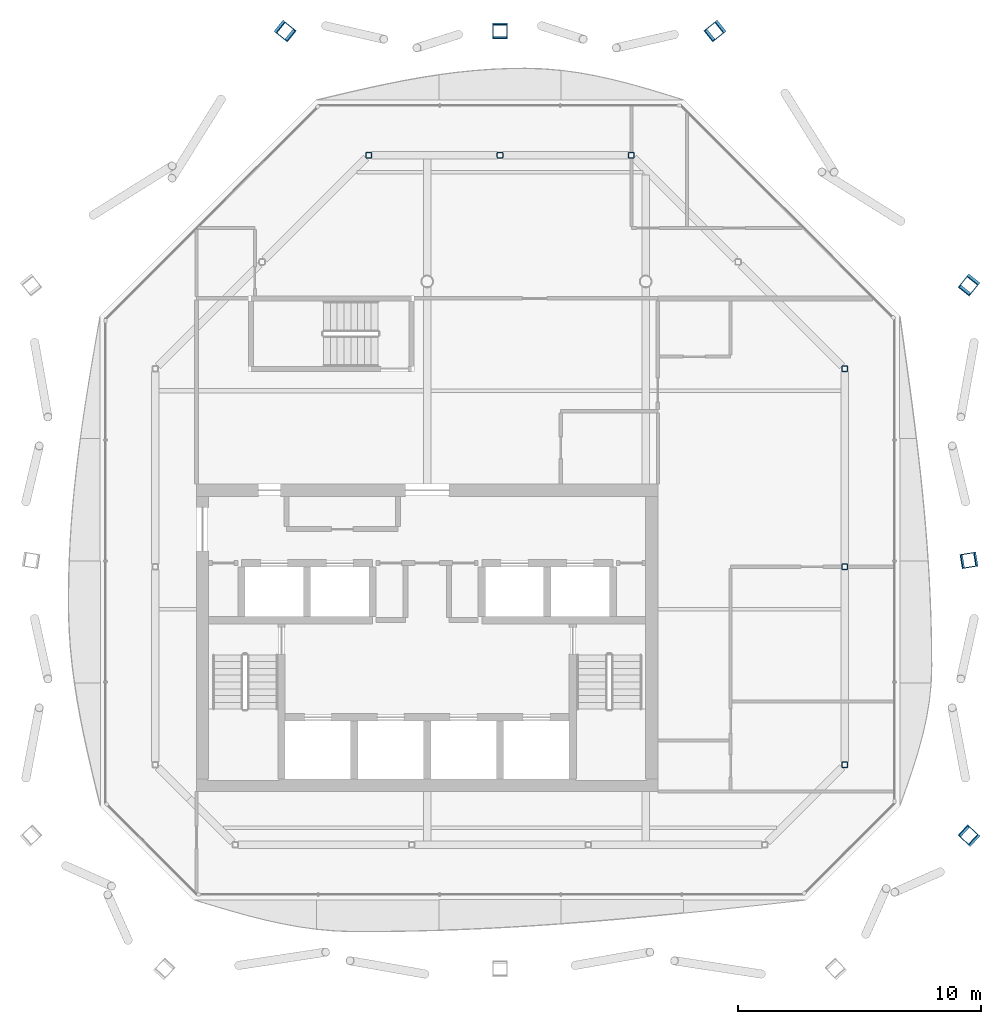
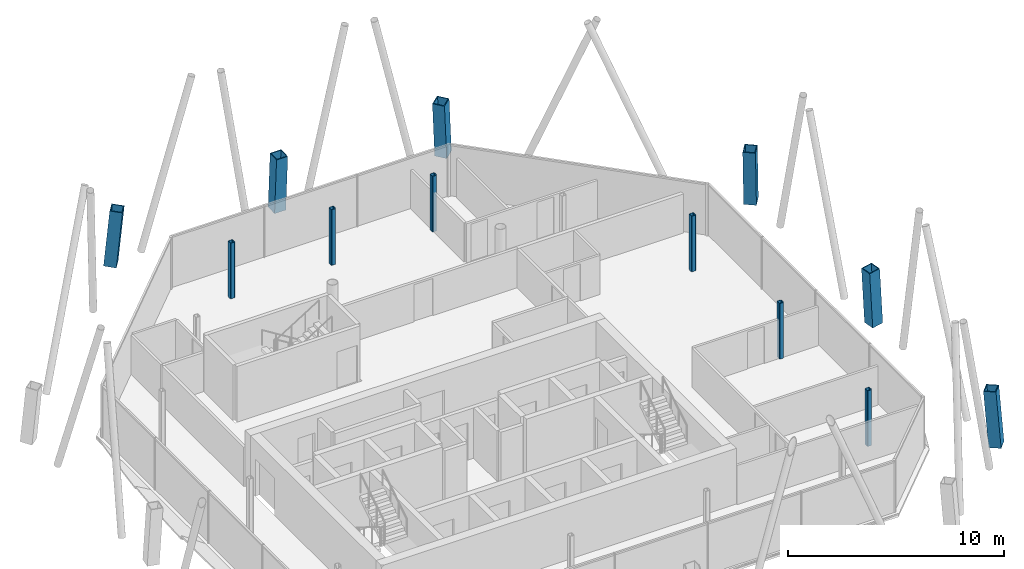
# One storey, part 2 of 14: 12 columns.
"""IFC4 building model written with IfcOpenShell, lengths in metres."""

from ifc_helpers import new_model, si_unit, direction, frame, origin, origin_2d, place, context, subcontext, project, spatial, hollow_rectangle, extrude, material, material_profile, profile_set, type_object, element, save


model = new_model("IFC4")

# Units and contexts
model_context = context("Model", 3, precision=1e-05, world=origin(), true_north=direction((0.0, 1.0)))
body_context = subcontext(model_context, "Body", "Model", "MODEL_VIEW")
ifc_project = project(units=[si_unit("LENGTHUNIT", "METRE"), si_unit("AREAUNIT", "SQUARE_METRE"), si_unit("VOLUMEUNIT", "CUBIC_METRE"), si_unit("PLANEANGLEUNIT", "RADIAN"), si_unit("MASSUNIT", "GRAM", prefix="KILO")], contexts=[model_context])

# Site, building, storey
site_placement = place(None, origin())
site = spatial("IfcSite", under=ifc_project, at=site_placement, CompositionType="ELEMENT")
building_placement = place(site_placement, origin())
building = spatial("IfcBuilding", under=site, at=building_placement, Name="Tskaro Facet Tower", CompositionType="ELEMENT")
storey_placement = place(building_placement, frame((0.0, 0.0, 268.949951171875)))
storey = spatial("IfcBuildingStorey", under=building, at=storey_placement, Name="L71", CompositionType="ELEMENT", Elevation=268.949951171875)

# Columns
ifc_material_1 = material(Name="Steel S355J2", Category="steel")
ifc_material_profile_1 = material_profile(ifc_material_1, hollow_rectangle(XDim=0.60009765625, YDim=0.60009765625, WallThickness=0.0400390625, at=origin_2d()), Name="BOX 600x600x40")
ifc_profile_set_1 = profile_set([ifc_material_profile_1], Name="Steel S355J2")
column_type_1 = type_object("IfcColumnType", Name="BOX 600x600x40 mega column", PredefinedType="COLUMN", material=ifc_profile_set_1)
column_1_placement = place(storey_placement, frame((22.344970703125, -13.85498046875, 0.0), z_axis=(-0.057561953922, 0.052848827493, 0.996942136181), x_axis=(-0.676306475744, -0.736620357353, 0.0)))
element("IfcColumn", 1, at=column_1_placement, inside=storey, type_object=column_type_1, Name="BOX 600x600x40 MC04/6", PredefinedType="COLUMN", context=body_context, shape_type="SweptSolid", body=[
    extrude(hollow_rectangle(XDim=0.60009765625, YDim=0.60009765625, WallThickness=0.0400390625, at=origin_2d()), origin(), (0.0, 0.0, 1.0), 3.159912109375),
])
column_2_placement = place(storey_placement, frame((22.344970703125, -2.48095703125, 0.0), z_axis=(-0.057639897771, -0.009516385807, 0.998292081801), x_axis=(0.162895476227, -0.986643331617, 0.0)))
element("IfcColumn", 2, at=column_2_placement, inside=storey, type_object=column_type_1, Name="BOX 600x600x40 MC05/6", PredefinedType="COLUMN", context=body_context, shape_type="SweptSolid", body=[
    extrude(hollow_rectangle(XDim=0.60009765625, YDim=0.60009765625, WallThickness=0.0400390625, at=origin_2d()), origin(), (0.0, 0.0, 1.0), 3.155517578125),
])
for number, where, z_axis, x_axis, name in (
    (3, (22.344970703125, 8.89306640625, 0.0), (-0.057493856374, -0.071770854266, 0.995762723221), (0.780459274208, -0.625206622887, 0.0), "BOX 600x600x40 MC06/6"),
    (4, (11.89306640625, 19.344970703125, 0.0), (-0.071770854266, -0.057493856374, 0.995762723221), (0.625206622887, -0.780459274208, 0.0), "BOX 600x600x40 MC07/6"),
):
    element("IfcColumn", number, at=place(storey_placement, frame(where, z_axis=z_axis, x_axis=x_axis)), inside=storey, type_object=column_type_1, Name=name, PredefinedType="COLUMN", context=body_context, shape_type="SweptSolid", body=[
        extrude(hollow_rectangle(XDim=0.60009765625, YDim=0.60009765625, WallThickness=0.0400390625, at=origin_2d()), origin(), (0.0, 0.0, 1.0), 3.16357421875),
    ])
column_3_placement = place(storey_placement, frame((3.0, 19.344970703125, 0.0), z_axis=(0.0, -0.057642507929, 0.998337288335), x_axis=(1.0, 0.0, 0.0)))
element("IfcColumn", 5, at=column_3_placement, inside=storey, type_object=column_type_1, Name="BOX 600x600x40 MC08/6", PredefinedType="COLUMN", context=body_context, shape_type="SweptSolid", body=[
    extrude(hollow_rectangle(XDim=0.60009765625, YDim=0.60009765625, WallThickness=0.0400390625, at=origin_2d()), origin(), (0.0, 0.0, 1.0), 3.1552734375),
])
column_4_placement = place(storey_placement, frame((-5.89306640625, 19.344970703125, 0.0), z_axis=(0.071770854266, -0.057493856374, 0.995762723221), x_axis=(0.625206622887, 0.780459274208, 0.0)))
element("IfcColumn", 6, at=column_4_placement, inside=storey, type_object=column_type_1, Name="BOX 600x600x40 MC09/6", PredefinedType="COLUMN", context=body_context, shape_type="SweptSolid", body=[
    extrude(hollow_rectangle(XDim=0.60009765625, YDim=0.60009765625, WallThickness=0.0400390625, at=origin_2d()), origin(), (0.0, 0.0, 1.0), 3.16357421875),
])
ifc_material_2 = material(Name="Steel S355J2H", Category="steel")
ifc_material_profile_2 = material_profile(ifc_material_2, hollow_rectangle(XDim=0.25, YDim=0.25, WallThickness=0.02001953125, InnerFilletRadius=0.030029296875, OuterFilletRadius=0.050048828125, at=origin_2d()), Name="SHS 250x250x20")
ifc_profile_set_2 = profile_set([ifc_material_profile_2], Name="Steel S355J2H")
column_type_2 = type_object("IfcColumnType", Name="SHS 250x250x20 ring column", PredefinedType="COLUMN", material=ifc_profile_set_2)
for number, where, z_axis, x_axis, name in (
    (7, (17.199951171875, -10.903076171875, 0.0), (0.0, 0.0, 1.0), (1.0, 0.0, 0.0), "SHS 250x250x20 RE-1/6"),
    (8, (17.199951171875, -2.75, 0.0), (0.0, 0.0, 1.0), (1.0, 0.0, 0.0), "SHS 250x250x20 RE-2/6"),
    (9, (17.199951171875, 5.403076171875, 0.0), (0.0, 0.0, 1.0), (1.0, 0.0, 0.0), "SHS 250x250x20 RNE-1/6"),
    (10, (8.403076171875, 14.199951171875, 0.0), (0.0, 0.0, 1.0), (1.0, 0.0, 0.0), "SHS 250x250x20 RN-1/6"),
    (11, (3.0, 14.199951171875, 0.0), (0.0, 0.0, 1.0), (1.0, 0.0, 0.0), "SHS 250x250x20 RN-2/6"),
    (12, (-2.403076171875, 14.199951171875, 0.0), (0.0, 0.0, 1.0), (1.0, 0.0, 0.0), "SHS 250x250x20 RNW-1/6"),
):
    element("IfcColumn", number, at=place(storey_placement, frame(where, z_axis=z_axis, x_axis=x_axis)), inside=storey, type_object=column_type_2, Name=name, PredefinedType="COLUMN", context=body_context, shape_type="SweptSolid", body=[
        extrude(hollow_rectangle(XDim=0.25, YDim=0.25, WallThickness=0.02001953125, InnerFilletRadius=0.030029296875, OuterFilletRadius=0.050048828125, at=origin_2d()), origin(), (0.0, 0.0, 1.0), 3.150146484375),
    ])

save(model, "model.ifc")
